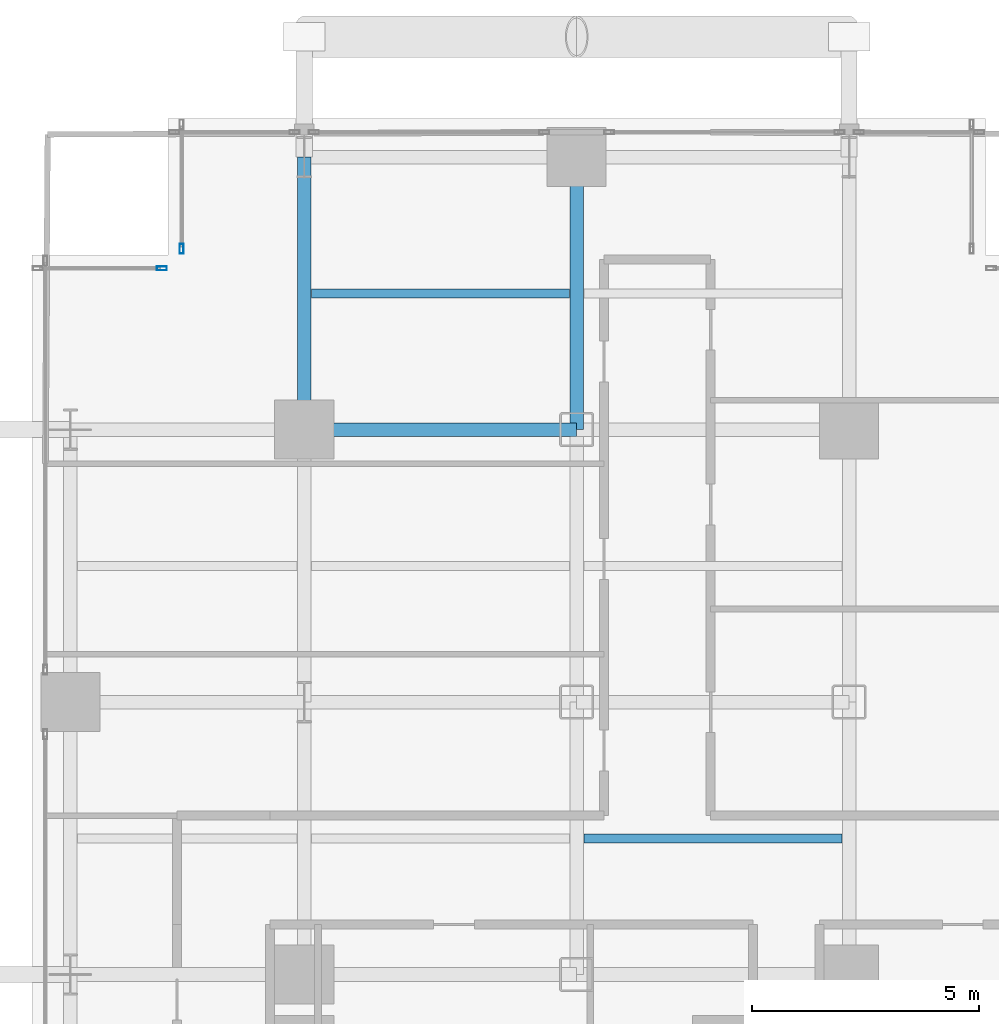
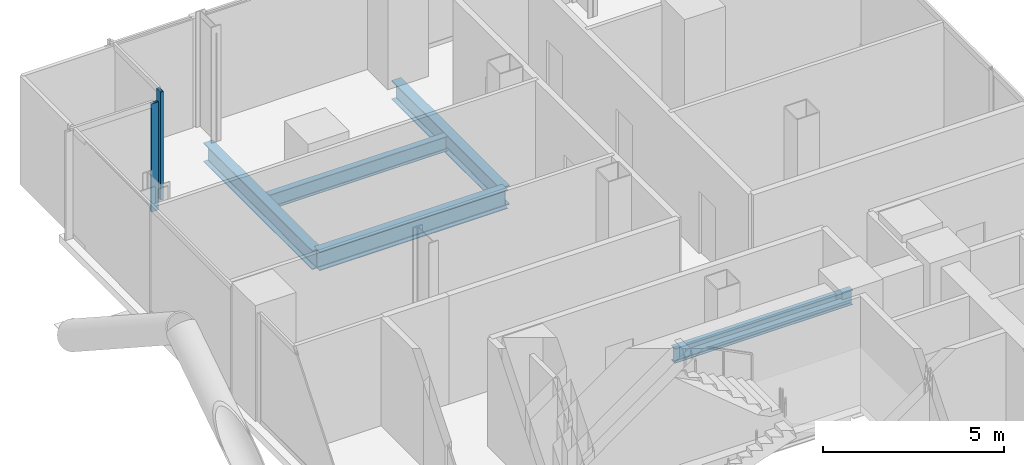
# One storey, part 14 of 25: 5 beams, 2 members, 2 elements without a shape of their own.
"""IFC4 building model written with IfcOpenShell, lengths in metres."""

import ifcopenshell
import ifcopenshell.guid

model = None  # the IFC model being written
_history = None  # IfcOwnerHistory: only IFC2X3 demands one
_inside = {}  # id of a spatial element -> (the spatial element, [elements in it])
_under = {}  # id of a project, library or spatial element -> (it, [spatial elements below it])
_declared = {}  # id of a project -> (the project, [libraries it declares])
_typed = {}  # id of a type object -> (the type object, [elements of that type])
_made_of = {}  # id of a material, layer set ... -> (it, [elements and type objects made of it])


def new_model(schema):
    """Start an empty IFC model of exactly this schema.

    Asked for "IFC4X3", IfcOpenShell would pick the latest addendum, in which some entities
    have other attributes; the version numbers below select the first issue.
    IFC2X3 requires an IfcOwnerHistory on every rooted entity: one is made here for all.
    """
    global model, _history
    if schema == "IFC4X3":
        model = ifcopenshell.file(schema_version=(4, 3, 0, 0))
    else:
        model = ifcopenshell.file(schema=schema)
    _inside.clear()
    _under.clear()
    _declared.clear()
    _typed.clear()
    _made_of.clear()
    _history = None
    if model.schema == "IFC2X3":
        org = make("IfcOrganization", Name="unknown")
        user = make(
            "IfcPersonAndOrganization",
            ThePerson=make("IfcPerson", FamilyName="unknown"),
            TheOrganization=org,
        )
        app = make(
            "IfcApplication",
            ApplicationDeveloper=org,
            Version="unknown",
            ApplicationFullName="unknown",
            ApplicationIdentifier="unknown",
        )
        _history = make(
            "IfcOwnerHistory",
            OwningUser=user,
            OwningApplication=app,
            ChangeAction="ADDED",
            CreationDate=0,
        )
    return model


def make(cls, **values):
    """One entity of the class cls with the attributes given. An attribute that is None is left unset."""
    return model.create_entity(
        cls, **{name: value for name, value in values.items() if value is not None}
    )


def rooted(cls, **values):
    """An entity with a GlobalId (a new one), such as an element, a storey or a relation."""
    return make(cls, GlobalId=ifcopenshell.guid.new(), OwnerHistory=_history, **values)


def si_unit(unit_type, name, prefix=None):
    """IfcSIUnit, for example si_unit("LENGTHUNIT", "METRE", prefix="MILLI")."""
    return make("IfcSIUnit", UnitType=unit_type, Prefix=prefix, Name=name)


def assignment(units):
    """IfcUnitAssignment: the units of a project."""
    return None if units is None else make("IfcUnitAssignment", Units=units)


def point(xyz):
    """IfcCartesianPoint."""
    return None if xyz is None else make("IfcCartesianPoint", Coordinates=xyz)


def direction(xyz):
    """IfcDirection."""
    return None if xyz is None else make("IfcDirection", DirectionRatios=xyz)


def frame(location, z_axis=None, x_axis=None):
    """IfcAxis2Placement3D, a coordinate frame: its origin and axes. An axis left out is left unset."""
    return make(
        "IfcAxis2Placement3D",
        Location=point(location),
        Axis=direction(z_axis),
        RefDirection=direction(x_axis),
    )


def frame_2d(location, x_axis=None):
    """IfcAxis2Placement2D, a coordinate frame in the plane: its origin and x axis."""
    return make(
        "IfcAxis2Placement2D", Location=point(location), RefDirection=direction(x_axis)
    )


def origin():
    """The frame at (0, 0, 0) with its axes left unset."""
    return frame((0.0, 0.0, 0.0))


def origin_2d():
    """The frame at (0, 0) in the plane with its x axis left unset."""
    return frame_2d((0.0, 0.0))


def place(relative_to, where):
    """IfcLocalPlacement: puts the frame where relative to a parent placement (None: the world)."""
    return make(
        "IfcLocalPlacement", PlacementRelTo=relative_to, RelativePlacement=where
    )


def context(
    kind, dimensions, precision=None, world=None, true_north=None, identifier=None
):
    """IfcGeometricRepresentationContext, for example the 3D "Model" context."""
    return make(
        "IfcGeometricRepresentationContext",
        ContextIdentifier=identifier,
        ContextType=kind,
        CoordinateSpaceDimension=dimensions,
        Precision=precision,
        WorldCoordinateSystem=world,
        TrueNorth=true_north,
    )


def subcontext(parent, identifier, kind, view, scale=None):
    """IfcGeometricRepresentationSubContext, for example "Body" below "Model"."""
    return make(
        "IfcGeometricRepresentationSubContext",
        ContextIdentifier=identifier,
        ContextType=kind,
        ParentContext=parent,
        TargetScale=scale,
        TargetView=view,
    )


def project(units=None, contexts=None):
    """IfcProject with its units and contexts."""
    return rooted(
        "IfcProject",
        Name="project",
        RepresentationContexts=contexts,
        UnitsInContext=assignment(units),
    )


def spatial(cls, under=None, at=None, **own):
    """A site, building, storey or space (cls), placed at a placement, below another one or the project."""
    s = rooted(cls, ObjectPlacement=at, **own)
    if under is not None:
        _under.setdefault(under.id(), (under, []))[1].append(s)
    return s


def profile(cls, at=None, kind="AREA", **sizes):
    """A parametric profile (cls). Its sizes go by their IFC names, for example OverallWidth=200.0."""
    return make(cls, ProfileType=kind, Position=at, **sizes)


def hollow_rectangle(**sizes):
    """IfcRectangleHollowProfileDef."""
    return profile("IfcRectangleHollowProfileDef", **sizes)


def i_section(**sizes):
    """IfcIShapeProfileDef."""
    return profile("IfcIShapeProfileDef", **sizes)


def extrude(swept, where, along, depth):
    """IfcExtrudedAreaSolid: the profile swept, set in the frame where, extruded along a direction by depth."""
    return make(
        "IfcExtrudedAreaSolid",
        SweptArea=swept,
        Position=where,
        ExtrudedDirection=direction(along),
        Depth=depth,
    )


def shape(context_of_items, identifier, shape_type, items):
    """IfcShapeRepresentation: the items that make up one representation, for example the "Body"."""
    return make(
        "IfcShapeRepresentation",
        ContextOfItems=context_of_items,
        RepresentationIdentifier=identifier,
        RepresentationType=shape_type,
        Items=items,
    )


def material(Name=None, Category=None):
    """IfcMaterial."""
    return make("IfcMaterial", Name=Name, Category=Category)


def layer(
    of_material, thickness, ventilated=None, Name=None, Category=None, Priority=None
):
    """IfcMaterialLayer: one layer of a wall or slab, of a material (None: an air gap)."""
    return make(
        "IfcMaterialLayer",
        Material=of_material,
        LayerThickness=thickness,
        IsVentilated=ventilated,
        Name=Name,
        Category=Category,
        Priority=Priority,
    )


def layer_set(layers, Name=None):
    """IfcMaterialLayerSet."""
    return make("IfcMaterialLayerSet", MaterialLayers=layers, LayerSetName=Name)


def material_profile(
    of_material, cross_section, Name=None, Category=None, Priority=None
):
    """IfcMaterialProfile: a cross section and its material."""
    return make(
        "IfcMaterialProfile",
        Name=Name,
        Material=of_material,
        Profile=cross_section,
        Priority=Priority,
        Category=Category,
    )


def profile_set(profiles, Name=None, composite=None):
    """IfcMaterialProfileSet."""
    return make(
        "IfcMaterialProfileSet",
        Name=Name,
        MaterialProfiles=profiles,
        CompositeProfile=composite,
    )


def made_of(thing, what):
    """Note that an element or type object is made of a material, layer set ...; save() writes the relation."""
    if what is not None:
        _made_of.setdefault(what.id(), (what, []))[1].append(thing)
    return thing


def type_object(cls, material=None, **own):
    """A type object (cls), such as IfcWallType, which elements share."""
    return made_of(rooted(cls, **own), material)


def element(
    cls,
    number,
    at=None,
    inside=None,
    cuts=None,
    type_object=None,
    material=None,
    context=None,
    identifier="Body",
    shape_type=None,
    held_by="IfcProductDefinitionShape",
    body=None,
    shapes=None,
    **own,
):
    """One element of the class cls, such as IfcWall. Its Tag is "e" and its number.

    at: its placement. inside: the storey or other place that contains it. cuts: it is an
    opening in that element (IfcRelVoidsElement). A single representation is given by context,
    identifier, shape_type and body (its items); several are given by shapes. held_by: the class
    of the entity that holds the representations. save() writes the other relations.
    """
    e = rooted(cls, Tag="e%d" % number, ObjectPlacement=at, **own)
    if body is not None:
        shapes = [shape(context, identifier, shape_type, body)]
    if shapes is not None:
        e.Representation = make(held_by, Representations=shapes)
    if inside is not None:
        _inside.setdefault(inside.id(), (inside, []))[1].append(e)
    if cuts is not None:
        rooted(
            "IfcRelVoidsElement", RelatingBuildingElement=cuts, RelatedOpeningElement=e
        )
    if type_object is not None:
        _typed.setdefault(type_object.id(), (type_object, []))[1].append(e)
    return made_of(e, material)


def aggregate(whole, parts):
    """IfcRelAggregates: a whole, such as a stair, and the parts it consists of."""
    return rooted("IfcRelAggregates", RelatingObject=whole, RelatedObjects=parts)


def save(model, path):
    """Write the relations noted so far, then the file.

    IfcRelAggregates (storeys below a building ...), IfcRelContainedInSpatialStructure (elements
    in a storey), IfcRelDefinesByType, IfcRelAssociatesMaterial and IfcRelDeclares: one each for
    every whole, place, type object, material and project.
    """
    for whole, parts in _under.values():
        aggregate(whole, parts)
    for where, things in _inside.values():
        rooted(
            "IfcRelContainedInSpatialStructure",
            RelatedElements=things,
            RelatingStructure=where,
        )
    for kind, things in _typed.values():
        rooted("IfcRelDefinesByType", RelatedObjects=things, RelatingType=kind)
    for what, things in _made_of.values():
        rooted("IfcRelAssociatesMaterial", RelatedObjects=things, RelatingMaterial=what)
    for by, libraries in _declared.values():
        rooted("IfcRelDeclares", RelatingContext=by, RelatedDefinitions=libraries)
    model.write(path)


model = new_model("IFC4")

# Units and contexts
model_context = context("Model", 3, precision=1e-05, world=origin(), true_north=direction((0.0, 1.0)))
body_context = subcontext(model_context, "Body", "Model", "MODEL_VIEW")
ifc_project = project(units=[si_unit("LENGTHUNIT", "METRE"), si_unit("AREAUNIT", "SQUARE_METRE"), si_unit("VOLUMEUNIT", "CUBIC_METRE"), si_unit("PLANEANGLEUNIT", "RADIAN"), si_unit("MASSUNIT", "GRAM", prefix="KILO"), si_unit("THERMODYNAMICTEMPERATUREUNIT", "KELVIN"), si_unit("POWERUNIT", "WATT")], contexts=[model_context])

# Site, building, storey
site_placement = place(None, origin())
site = spatial("IfcSite", under=ifc_project, at=site_placement, CompositionType="ELEMENT")
building_placement = place(site_placement, origin())
building = spatial("IfcBuilding", under=site, at=building_placement, Name="Svarakhadi Broadcast Tower", CompositionType="ELEMENT")
storey_placement = place(building_placement, frame((0.0, 0.0, 48.0)))
storey = spatial("IfcBuildingStorey", under=building, at=storey_placement, Name="L10", CompositionType="ELEMENT", Elevation=48.0)

# Beams
ifc_material_1 = material(Name="Steel S355J2 (IS 2062 E350C)", Category="steel")
ifc_material_profile_1 = material_profile(ifc_material_1, i_section(OverallWidth=0.199951171875, OverallDepth=0.5, WebThickness=0.01025390625, FlangeThickness=0.01611328125, FilletRadius=0.02099609375, at=origin_2d()), Name="NPB 500x200x91")
ifc_profile_set_1 = profile_set([ifc_material_profile_1], Name="Steel S355J2 (IS 2062 E350C)")
beam_type_1 = type_object("IfcBeamType", Name="Beam_NPB500", PredefinedType="BEAM", material=ifc_profile_set_1)
for number, where, z_axis, x_axis, name in (
    (1, (6.159912109375, 44.14990234375, -0.5), (1.0, 0.0, 0.0), (0.0, 1.0, 0.0), "L10 Secondary Composite Beam SB012"),
    (2, (12.159912109375, 32.14990234375, -0.5), (1.0, 0.0, 0.0), (0.0, 1.0, 0.0), "L10 Secondary Composite Beam SB016"),
):
    element("IfcBeam", number, at=place(storey_placement, frame(where, z_axis=z_axis, x_axis=x_axis)), inside=storey, type_object=beam_type_1, Name=name, PredefinedType="BEAM", context=body_context, shape_type="SweptSolid", body=[
        extrude(i_section(OverallWidth=0.199951171875, OverallDepth=0.5, WebThickness=0.01025390625, FlangeThickness=0.01611328125, FilletRadius=0.02099609375, at=origin_2d()), origin(), (0.0, 0.0, 1.0), 5.68017578125),
    ])

# Curtain wall, member
ifc_material_2 = material(Name="Anodised Bronze Aluminium AA 6063-T6", Category="aluminium")
ifc_layer = layer(ifc_material_2, 0.219970703125)
ifc_layer_set = layer_set([ifc_layer], Name="Anodised Bronze Aluminium AA 6063-T6")
curtain_wall_type = type_object("IfcCurtainWallType", Name="CW_Sys_02", PredefinedType="NOTDEFINED", material=ifc_layer_set)
curtain_wall_1_placement = place(storey_placement, origin())
curtain_wall_1 = element("IfcCurtainWall", 3, at=curtain_wall_1_placement, inside=storey, type_object=curtain_wall_type, Name="L10 Unitised Facade Curtain Wall 04", PredefinedType="NOTDEFINED")
ifc_material_profile_2 = material_profile(ifc_material_2, hollow_rectangle(XDim=0.0849609375, YDim=0.219970703125, WallThickness=0.006103515625, at=origin_2d()), Name="ALU MULLION 220x85x6")
ifc_profile_set_2 = profile_set([ifc_material_profile_2], Name="Anodised Bronze Aluminium AA 6063-T6")
member_type = type_object("IfcMemberType", Name="CW_Sys_02_Mul", PredefinedType="MULLION", material=ifc_profile_set_2)
member_1_placement = place(storey_placement, frame((2.867431640625, 44.699951171875, 0.0), z_axis=(0.0, 0.0, 1.0), x_axis=(0.0, 1.0, 0.0)))
member_1 = element("IfcMember", 4, at=member_1_placement, type_object=member_type, Name="CW-02 mullion 2", PredefinedType="MULLION", context=body_context, shape_type="SweptSolid", body=[
    extrude(hollow_rectangle(XDim=0.0849609375, YDim=0.219970703125, WallThickness=0.006103515625, at=origin_2d()), origin(), (0.0, 0.0, 1.0), 3.64990234375),
])
aggregate(curtain_wall_1, [member_1])

curtain_wall_2_placement = place(storey_placement, origin())
curtain_wall_2 = element("IfcCurtainWall", 5, at=curtain_wall_2_placement, inside=storey, type_object=curtain_wall_type, Name="L10 Unitised Facade Curtain Wall 05", PredefinedType="NOTDEFINED")
member_2_placement = place(storey_placement, frame((3.300048828125, 45.132568359375, 0.0), z_axis=(0.0, 0.0, 1.0), x_axis=(-1.0, 0.0, 0.0)))
member_2 = element("IfcMember", 6, at=member_2_placement, type_object=member_type, Name="CW-02 mullion 1", PredefinedType="MULLION", context=body_context, shape_type="SweptSolid", body=[
    extrude(hollow_rectangle(XDim=0.0849609375, YDim=0.219970703125, WallThickness=0.006103515625, at=origin_2d()), origin(), (0.0, 0.0, 1.0), 3.64990234375),
])
aggregate(curtain_wall_2, [member_2])

# Beams
ifc_material_profile_3 = material_profile(ifc_material_1, i_section(OverallWidth=0.300048828125, OverallDepth=0.64990234375, WebThickness=0.01611328125, FlangeThickness=0.031005859375, FilletRadius=0.027099609375, at=origin_2d()), Name="WPB 650x300x225")
ifc_profile_set_3 = profile_set([ifc_material_profile_3], Name="Steel S355J2 (IS 2062 E350C)")
beam_type_2 = type_object("IfcBeamType", Name="Girder_WPB650", PredefinedType="USERDEFINED", material=ifc_profile_set_3)
for number, where, z_axis, x_axis, name in (
    (7, (6.0, 41.14990234375, -0.574951171875), (1.0, 0.0, 0.0), (0.0, 1.0, 0.0), "L10 Primary E-W Girder G041"),
    (8, (6.0, 41.14990234375, -0.574951171875), (0.0, 1.0, 0.0), (-1.0, 0.0, 0.0), "L10 Primary N-S Girder G057"),
    (9, (12.0, 41.14990234375, -0.574951171875), (0.0, 1.0, 0.0), (-1.0, 0.0, 0.0), "L10 Primary N-S Girder G063"),
):
    element("IfcBeam", number, at=place(storey_placement, frame(where, z_axis=z_axis, x_axis=x_axis)), inside=storey, type_object=beam_type_2, Name=name, ObjectType="GIRDER", PredefinedType="USERDEFINED", context=body_context, shape_type="SweptSolid", body=[
        extrude(i_section(OverallWidth=0.300048828125, OverallDepth=0.64990234375, WebThickness=0.01611328125, FlangeThickness=0.031005859375, FilletRadius=0.027099609375, at=origin_2d()), origin(), (0.0, 0.0, 1.0), 6.0),
    ])

save(model, "model.ifc")
